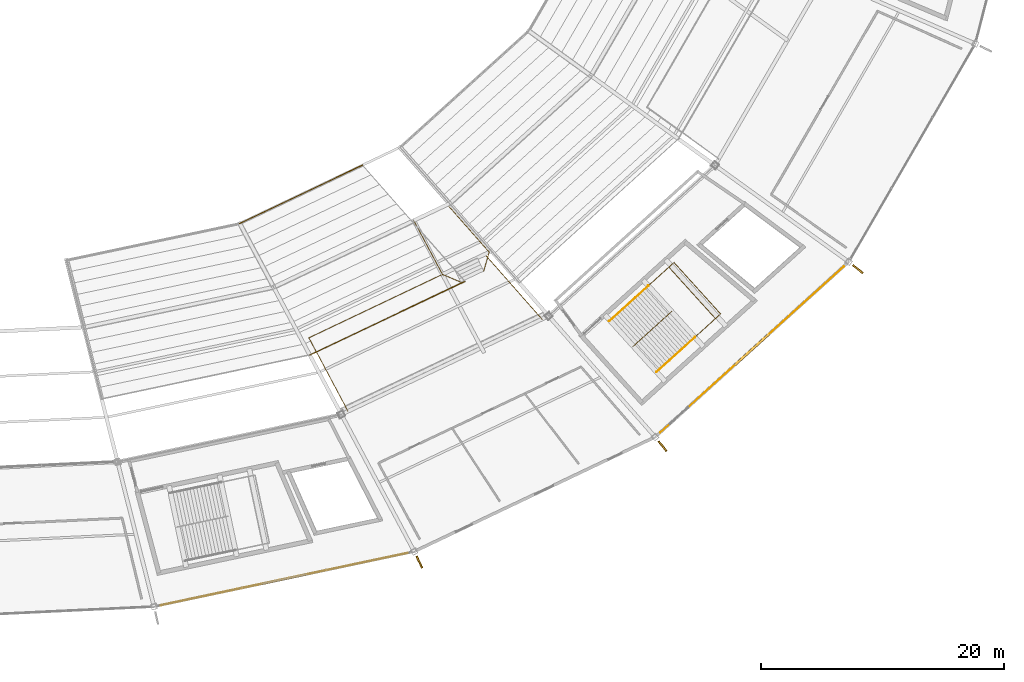
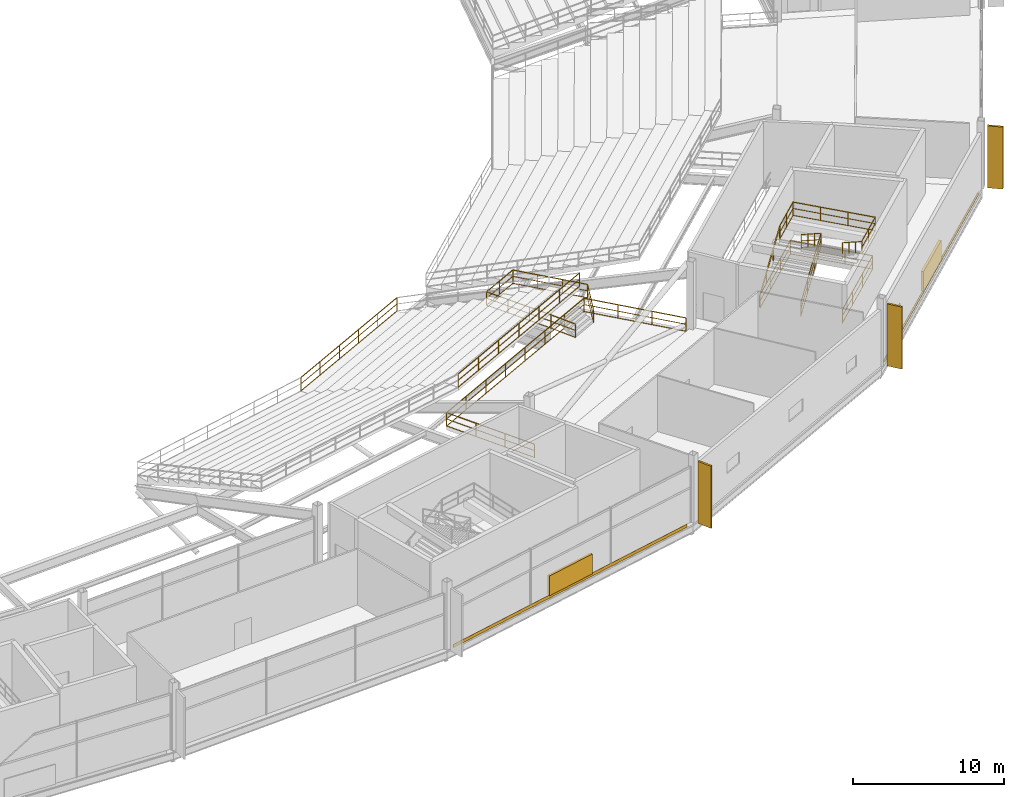
# One storey, part 176 of 186: 9 railings, 5 shading devices, 2 coverings.
"""IFC4 building model written with IfcOpenShell, lengths in metres."""

from ifc_helpers import new_model, si_unit, direction, frame, origin, origin_2d, place, context, subcontext, project, spatial, rectangle, extrude, material, layer, layer_set, type_object, element, save


model = new_model("IFC4")

# Units and contexts
model_context = context("Model", 3, precision=1e-05, world=origin(), true_north=direction((0.0, 1.0)))
body_context = subcontext(model_context, "Body", "Model", "MODEL_VIEW")
ifc_project = project(units=[si_unit("LENGTHUNIT", "METRE"), si_unit("AREAUNIT", "SQUARE_METRE"), si_unit("VOLUMEUNIT", "CUBIC_METRE"), si_unit("PLANEANGLEUNIT", "RADIAN"), si_unit("MASSUNIT", "GRAM", prefix="KILO")], contexts=[model_context])

# Site, building, storey
site_placement = place(None, origin())
site = spatial("IfcSite", under=ifc_project, at=site_placement, CompositionType="ELEMENT")
building_placement = place(site_placement, origin())
building = spatial("IfcBuilding", under=site, at=building_placement, Name="Kazemori Nagisa Stadium", CompositionType="ELEMENT")
storey_placement = place(building_placement, frame((0.0, 0.0, 20.39990234375)))
storey = spatial("IfcBuildingStorey", under=building, at=storey_placement, Name="L04", CompositionType="ELEMENT", Elevation=20.39990234375)

# Coverings
ifc_material_1 = material(Name="Anodised aluminium 6063-T5", Category="aluminium")
ifc_layer = layer(ifc_material_1, 0.034912109375, Name="Anodised aluminium 6063-T5", Category="aluminium")
ifc_layer_set = layer_set([ifc_layer], Name="Anodised aluminium 6063-T5")
covering_type = type_object("IfcCoveringType", Name="Covering_CLAD", PredefinedType="CLADDING", material=ifc_layer_set)
covering_1_placement = place(storey_placement, frame((155.1162109375, 19.2744140625, -0.259765625), z_axis=(0.0, 0.0, 1.0), x_axis=(0.978344955407, 0.206981033502, 0.0)))
element("IfcCovering", 1, at=covering_1_placement, inside=storey, type_object=covering_type, Name="Anodised fascia cladding L04-B23", PredefinedType="CLADDING", context=body_context, shape_type="SweptSolid", body=[
    extrude(rectangle(XDim=20.750244140625, YDim=0.0400390625, at=origin_2d()), origin(), (0.0, 0.0, 1.0), 0.260009765625),
])
covering_2_placement = place(storey_placement, frame((193.546630859375, 38.13671875, -0.259765625), z_axis=(0.0, 0.0, 1.0), x_axis=(0.741350875443, 0.671117634607, 0.0)))
element("IfcCovering", 2, at=covering_2_placement, inside=storey, type_object=covering_type, Name="Anodised fascia cladding L04-B25", PredefinedType="CLADDING", context=body_context, shape_type="SweptSolid", body=[
    extrude(rectangle(XDim=20.34375, YDim=0.0400390625, at=origin_2d()), origin(), (0.0, 0.0, 1.0), 0.260009765625),
])

# Shading devices
ifc_material_2 = material(Name="Aluminium 6063-T5 anodised", Category="aluminium")
shading_device_type_1 = type_object("IfcShadingDeviceType", Name="Fin_FN03", PredefinedType="USERDEFINED", material=ifc_material_2)
for number, where, z_axis, x_axis, name in (
    (3, (166.218994140625, 20.67529296875, 0.0), (0.0, 0.0, 1.0), (0.433883739113, -0.900968867905, 0.0), "Aerodynamic wave shading fin L04-24"),
    (4, (186.193359375, 30.1943359375, 0.0), (0.0, 0.0, 1.0), (0.623489801853, -0.781831482473, 0.0), "Aerodynamic wave shading fin L04-25"),
    (5, (202.241943359375, 44.73681640625, 0.0), (0.0, 0.0, 1.0), (0.781831482473, -0.623489801853, 0.0), "Aerodynamic wave shading fin L04-26"),
):
    element("IfcShadingDevice", number, at=place(storey_placement, frame(where, z_axis=z_axis, x_axis=x_axis)), inside=storey, type_object=shading_device_type_1, Name=name, ObjectType="FIN", PredefinedType="USERDEFINED", context=body_context, shape_type="SweptSolid", body=[
        extrude(rectangle(XDim=1.050048828125, YDim=0.139892578125, at=origin_2d()), origin(), (0.0, 0.0, 1.0), 5.0),
    ])
shading_device_type_2 = type_object("IfcShadingDeviceType", Name="Louvre_LV02", PredefinedType="JALOUSIE", material=ifc_material_2)
for number, where, z_axis, x_axis, name in (
    (6, (155.1162109375, 19.2744140625, -0.010009765625), (0.0, 0.0, 1.0), (0.978344955407, 0.206981033502, 0.0), "Concourse ventilation louvre L04-B23"),
    (7, (193.546630859375, 38.13671875, -0.010009765625), (0.0, 0.0, 1.0), (0.741350875443, 0.671117634607, 0.0), "Concourse ventilation louvre L04-B25"),
):
    element("IfcShadingDevice", number, at=place(storey_placement, frame(where, z_axis=z_axis, x_axis=x_axis)), inside=storey, type_object=shading_device_type_2, Name=name, PredefinedType="JALOUSIE", context=body_context, shape_type="SweptSolid", body=[
        extrude(rectangle(XDim=3.800048828125, YDim=0.179931640625, at=origin_2d()), origin(), (0.0, 0.0, 1.0), 1.60009765625),
    ])

# Railings
ifc_material_3 = material(Name="Laminated safety glass and stainless steel SUS304", Category="steel")
railing_type_1 = type_object("IfcRailingType", Name="Rail_BAL", PredefinedType="BALUSTRADE", material=ifc_material_3)
railing_1_placement = place(storey_placement, frame((160.35400390625, 33.058349609375, 0.0)))
element("IfcRailing", 8, at=railing_1_placement, inside=storey, type_object=railing_type_1, Name="Upper vomitory lobby balustrade B24", PredefinedType="BALUSTRADE", context=body_context, shape_type="SweptSolid", body=[
    extrude(rectangle(XDim=0.050048828125, YDim=0.050048828125, at=origin_2d()), frame((0.0, 0.0, 1.09521484375), z_axis=(-0.469672205384, 0.882840880051, 0.0), x_axis=(-0.882840880051, -0.469672205384, 0.0)), (0.0, 0.0, 1.0), 6.83544921875),
    extrude(rectangle(XDim=0.03759765625, YDim=0.03759765625, at=origin_2d()), frame((0.0, 0.0, 0.58251953125), z_axis=(-0.469672205384, 0.882840880051, 0.0), x_axis=(-0.882840880051, -0.469672205384, 0.0)), (0.0, 0.0, 1.0), 6.83544921875),
    extrude(rectangle(XDim=0.03759765625, YDim=0.03759765625, at=origin_2d()), frame((0.0, 0.0, 0.02490234375), z_axis=(-0.469672205384, 0.882840880051, 0.0), x_axis=(-0.882840880051, -0.469672205384, 0.0)), (0.0, 0.0, 1.0), 6.83544921875),
    extrude(rectangle(XDim=0.050048828125, YDim=0.050048828125, at=origin_2d()), frame((-3.21044921875, 6.03466796875, 1.09521484375), z_axis=(0.903214968311, 0.429188444648, 0.0), x_axis=(-0.429188444648, 0.903214968311, 0.0)), (0.0, 0.0, 1.0), 16.002685546875),
    extrude(rectangle(XDim=0.03759765625, YDim=0.03759765625, at=origin_2d()), frame((-3.21044921875, 6.03466796875, 0.58251953125), z_axis=(0.903214968311, 0.429188444648, 0.0), x_axis=(-0.429188444648, 0.903214968311, 0.0)), (0.0, 0.0, 1.0), 16.002685546875),
    extrude(rectangle(XDim=0.03759765625, YDim=0.03759765625, at=origin_2d()), frame((-3.21044921875, 6.03466796875, 0.02490234375), z_axis=(0.903214968311, 0.429188444648, 0.0), x_axis=(-0.429188444648, 0.903214968311, 0.0)), (0.0, 0.0, 1.0), 16.002685546875),
    extrude(rectangle(XDim=0.050048828125, YDim=0.050048828125, at=origin_2d()), frame((11.243408203125, 12.90283203125, 1.09521484375), z_axis=(0.661024552445, -0.750364272247, 0.0), x_axis=(0.750364272247, 0.661024552445, 0.0)), (0.0, 0.0, 1.0), 7.102294921875),
    extrude(rectangle(XDim=0.03759765625, YDim=0.03759765625, at=origin_2d()), frame((11.243408203125, 12.90283203125, 0.58251953125), z_axis=(0.661024552445, -0.750364272247, 0.0), x_axis=(0.750364272247, 0.661024552445, 0.0)), (0.0, 0.0, 1.0), 7.102294921875),
    extrude(rectangle(XDim=0.03759765625, YDim=0.03759765625, at=origin_2d()), frame((11.243408203125, 12.90283203125, 0.02490234375), z_axis=(0.661024552445, -0.750364272247, 0.0), x_axis=(0.750364272247, 0.661024552445, 0.0)), (0.0, 0.0, 1.0), 7.102294921875),
    extrude(rectangle(XDim=0.044921875, YDim=0.044921875, at=origin_2d()), origin(), (0.0, 0.0, 1.0), 1.070068359375),
    extrude(rectangle(XDim=0.044921875, YDim=0.044921875, at=origin_2d()), frame((-1.070068359375, 2.011474609375, 0.0)), (0.0, 0.0, 1.0), 1.070068359375),
    extrude(rectangle(XDim=0.044921875, YDim=0.044921875, at=origin_2d()), frame((-2.140380859375, 4.023193359375, 0.0)), (0.0, 0.0, 1.0), 1.070068359375),
    extrude(rectangle(XDim=0.044921875, YDim=0.044921875, at=origin_2d()), frame((-3.21044921875, 6.03466796875, 0.0)), (0.0, 0.0, 1.0), 1.070068359375),
    extrude(rectangle(XDim=0.044921875, YDim=0.044921875, at=origin_2d()), frame((-1.1455078125, 7.015869140625, 0.0)), (0.0, 0.0, 1.0), 1.070068359375),
    extrude(rectangle(XDim=0.044921875, YDim=0.044921875, at=origin_2d()), frame((0.919189453125, 7.9970703125, 0.0)), (0.0, 0.0, 1.0), 1.070068359375),
    extrude(rectangle(XDim=0.044921875, YDim=0.044921875, at=origin_2d()), frame((2.984130859375, 8.978271484375, 0.0)), (0.0, 0.0, 1.0), 1.070068359375),
    extrude(rectangle(XDim=0.044921875, YDim=0.044921875, at=origin_2d()), frame((5.048828125, 9.959228515625, 0.0)), (0.0, 0.0, 1.0), 1.070068359375),
    extrude(rectangle(XDim=0.044921875, YDim=0.044921875, at=origin_2d()), frame((7.11376953125, 10.9404296875, 0.0)), (0.0, 0.0, 1.0), 1.070068359375),
    extrude(rectangle(XDim=0.044921875, YDim=0.044921875, at=origin_2d()), frame((9.178466796875, 11.921630859375, 0.0)), (0.0, 0.0, 1.0), 1.070068359375),
    extrude(rectangle(XDim=0.044921875, YDim=0.044921875, at=origin_2d()), frame((11.243408203125, 12.90283203125, 0.0)), (0.0, 0.0, 1.0), 1.070068359375),
    extrude(rectangle(XDim=0.044921875, YDim=0.044921875, at=origin_2d()), frame((12.808349609375, 11.12646484375, 0.0)), (0.0, 0.0, 1.0), 1.070068359375),
    extrude(rectangle(XDim=0.044921875, YDim=0.044921875, at=origin_2d()), frame((14.373291015625, 9.349853515625, 0.0)), (0.0, 0.0, 1.0), 1.070068359375),
    extrude(rectangle(XDim=0.044921875, YDim=0.044921875, at=origin_2d()), frame((15.938232421875, 7.573486328125, 0.0)), (0.0, 0.0, 1.0), 1.070068359375),
])
ifc_material_4 = material(Name="Galvanised powder-coated steel", Category="steel")
railing_type_2 = type_object("IfcRailingType", Name="Rail_GUARD", PredefinedType="GUARDRAIL", material=ifc_material_4)
railing_2_placement = place(storey_placement, frame((181.87890625, 40.5205078125, 0.0)))
element("IfcRailing", 9, at=railing_2_placement, inside=storey, type_object=railing_type_2, Name="Stair well perimeter guard ST04-L04", PredefinedType="GUARDRAIL", context=body_context, shape_type="SweptSolid", body=[
    extrude(rectangle(XDim=0.050048828125, YDim=0.050048828125, at=origin_2d()), frame((0.0, 0.0, 1.09521484375), z_axis=(0.741331867292, 0.671138631385, 0.0), x_axis=(-0.671138631385, 0.741331867292, 0.0)), (0.0, 0.0, 1.0), 6.52490234375),
    extrude(rectangle(XDim=0.03759765625, YDim=0.03759765625, at=origin_2d()), frame((0.0, 0.0, 0.58251953125), z_axis=(0.741331867292, 0.671138631385, 0.0), x_axis=(-0.671138631385, 0.741331867292, 0.0)), (0.0, 0.0, 1.0), 6.52490234375),
    extrude(rectangle(XDim=0.03759765625, YDim=0.03759765625, at=origin_2d()), frame((0.0, 0.0, 0.02490234375), z_axis=(0.741331867292, 0.671138631385, 0.0), x_axis=(-0.671138631385, 0.741331867292, 0.0)), (0.0, 0.0, 1.0), 6.52490234375),
    extrude(rectangle(XDim=0.050048828125, YDim=0.050048828125, at=origin_2d()), frame((4.837158203125, 4.379150390625, 1.09521484375), z_axis=(0.671112926645, -0.74135513736, 0.0), x_axis=(0.74135513736, 0.671112926645, 0.0)), (0.0, 0.0, 1.0), 5.7001953125),
    extrude(rectangle(XDim=0.03759765625, YDim=0.03759765625, at=origin_2d()), frame((4.837158203125, 4.379150390625, 0.58251953125), z_axis=(0.671112926645, -0.74135513736, 0.0), x_axis=(0.74135513736, 0.671112926645, 0.0)), (0.0, 0.0, 1.0), 5.7001953125),
    extrude(rectangle(XDim=0.03759765625, YDim=0.03759765625, at=origin_2d()), frame((4.837158203125, 4.379150390625, 0.02490234375), z_axis=(0.671112926645, -0.74135513736, 0.0), x_axis=(0.74135513736, 0.671112926645, 0.0)), (0.0, 0.0, 1.0), 5.7001953125),
    extrude(rectangle(XDim=0.050048828125, YDim=0.050048828125, at=origin_2d()), frame((8.66259765625, 0.1533203125, 1.09521484375), z_axis=(-0.741367335581, -0.671099451448, 0.0), x_axis=(0.671099451448, -0.741367335581, 0.0)), (0.0, 0.0, 1.0), 6.52490234375),
    extrude(rectangle(XDim=0.03759765625, YDim=0.03759765625, at=origin_2d()), frame((8.66259765625, 0.1533203125, 0.58251953125), z_axis=(-0.741367335581, -0.671099451448, 0.0), x_axis=(0.671099451448, -0.741367335581, 0.0)), (0.0, 0.0, 1.0), 6.52490234375),
    extrude(rectangle(XDim=0.03759765625, YDim=0.03759765625, at=origin_2d()), frame((8.66259765625, 0.1533203125, 0.02490234375), z_axis=(-0.741367335581, -0.671099451448, 0.0), x_axis=(0.671099451448, -0.741367335581, 0.0)), (0.0, 0.0, 1.0), 6.52490234375),
    extrude(rectangle(XDim=0.044921875, YDim=0.044921875, at=origin_2d()), origin(), (0.0, 0.0, 1.0), 1.070068359375),
    extrude(rectangle(XDim=0.044921875, YDim=0.044921875, at=origin_2d()), frame((1.6123046875, 1.459716796875, 0.0)), (0.0, 0.0, 1.0), 1.070068359375),
    extrude(rectangle(XDim=0.044921875, YDim=0.044921875, at=origin_2d()), frame((3.224853515625, 2.91943359375, 0.0)), (0.0, 0.0, 1.0), 1.070068359375),
    extrude(rectangle(XDim=0.044921875, YDim=0.044921875, at=origin_2d()), frame((4.837158203125, 4.379150390625, 0.0)), (0.0, 0.0, 1.0), 1.070068359375),
    extrude(rectangle(XDim=0.044921875, YDim=0.044921875, at=origin_2d()), frame((6.1123046875, 2.970458984375, 0.0)), (0.0, 0.0, 1.0), 1.070068359375),
    extrude(rectangle(XDim=0.044921875, YDim=0.044921875, at=origin_2d()), frame((7.387451171875, 1.56201171875, 0.0)), (0.0, 0.0, 1.0), 1.070068359375),
    extrude(rectangle(XDim=0.044921875, YDim=0.044921875, at=origin_2d()), frame((8.66259765625, 0.1533203125, 0.0)), (0.0, 0.0, 1.0), 1.070068359375),
    extrude(rectangle(XDim=0.044921875, YDim=0.044921875, at=origin_2d()), frame((7.050048828125, -1.306396484375, 0.0)), (0.0, 0.0, 1.0), 1.070068359375),
    extrude(rectangle(XDim=0.044921875, YDim=0.044921875, at=origin_2d()), frame((5.437744140625, -2.765869140625, 0.0)), (0.0, 0.0, 1.0), 1.070068359375),
    extrude(rectangle(XDim=0.044921875, YDim=0.044921875, at=origin_2d()), frame((3.8251953125, -4.2255859375, 0.0)), (0.0, 0.0, 1.0), 1.070068359375),
])
railing_3_placement = place(storey_placement, frame((183.732177734375, 38.35400390625, 0.0)))
element("IfcRailing", 10, at=railing_3_placement, inside=storey, type_object=railing_type_2, Name="Stair central guard ST04-L04", PredefinedType="GUARDRAIL", context=body_context, shape_type="SweptSolid", body=[
    extrude(rectangle(XDim=0.050048828125, YDim=0.050048828125, at=origin_2d()), frame((0.0, 0.0, 1.09521484375), z_axis=(0.627541812823, 0.568099033934, 0.53240469645), x_axis=(-0.67112318634, 0.741345849626, 0.0)), (0.0, 0.0, 1.0), 5.109375),
    extrude(rectangle(XDim=0.03759765625, YDim=0.03759765625, at=origin_2d()), frame((0.0, 0.0, 0.58251953125), z_axis=(0.627541812823, 0.568099033934, 0.53240469645), x_axis=(-0.67112318634, 0.741345849626, 0.0)), (0.0, 0.0, 1.0), 5.109375),
    extrude(rectangle(XDim=0.03759765625, YDim=0.03759765625, at=origin_2d()), frame((0.0, 0.0, 0.02490234375), z_axis=(0.627541812823, 0.568099033934, 0.53240469645), x_axis=(-0.67112318634, 0.741345849626, 0.0)), (0.0, 0.0, 1.0), 5.109375),
    extrude(rectangle(XDim=0.050048828125, YDim=0.050048828125, at=origin_2d()), frame((3.206298828125, 2.902587890625, 3.8154296875), z_axis=(-0.624200602078, -0.565073454279, 0.539504957933), x_axis=(0.671122625547, -0.741346357298, 0.0)), (0.0, 0.0, 1.0), 5.04150390625),
    extrude(rectangle(XDim=0.03759765625, YDim=0.03759765625, at=origin_2d()), frame((3.206298828125, 2.902587890625, 3.302734375), z_axis=(-0.624200602078, -0.565073454279, 0.539504957933), x_axis=(0.671122625547, -0.741346357298, 0.0)), (0.0, 0.0, 1.0), 5.04150390625),
    extrude(rectangle(XDim=0.03759765625, YDim=0.03759765625, at=origin_2d()), frame((3.206298828125, 2.902587890625, 2.7451171875), z_axis=(-0.624200602078, -0.565073454279, 0.539504957933), x_axis=(0.671122625547, -0.741346357298, 0.0)), (0.0, 0.0, 1.0), 5.04150390625),
    extrude(rectangle(XDim=0.044921875, YDim=0.044921875, at=origin_2d()), origin(), (0.0, 0.0, 1.0), 1.070068359375),
    extrude(rectangle(XDim=0.044921875, YDim=0.044921875, at=origin_2d()), frame((1.06884765625, 0.967529296875, 0.90673828125)), (0.0, 0.0, 1.0), 1.070068359375),
    extrude(rectangle(XDim=0.044921875, YDim=0.044921875, at=origin_2d()), frame((2.137451171875, 1.93505859375, 1.8134765625)), (0.0, 0.0, 1.0), 1.070068359375),
    extrude(rectangle(XDim=0.044921875, YDim=0.044921875, at=origin_2d()), frame((3.206298828125, 2.902587890625, 2.72021484375)), (0.0, 0.0, 1.0), 1.070068359375),
    extrude(rectangle(XDim=0.044921875, YDim=0.044921875, at=origin_2d()), frame((2.1572265625, 1.952880859375, 3.626953125)), (0.0, 0.0, 1.0), 1.070068359375),
    extrude(rectangle(XDim=0.044921875, YDim=0.044921875, at=origin_2d()), frame((1.1083984375, 1.00341796875, 4.533447265625)), (0.0, 0.0, 1.0), 1.070068359375),
    extrude(rectangle(XDim=0.044921875, YDim=0.044921875, at=origin_2d()), frame((0.059326171875, 0.0537109375, 5.440185546875)), (0.0, 0.0, 1.0), 1.070068359375),
])
railing_4_placement = place(storey_placement, frame((185.02587890625, 43.369384765625, 2.72021484375)))
element("IfcRailing", 11, at=railing_4_placement, inside=storey, type_object=railing_type_2, Name="Stair landing guard ST04-L04", PredefinedType="GUARDRAIL", context=body_context, shape_type="SweptSolid", body=[
    extrude(rectangle(XDim=0.050048828125, YDim=0.050048828125, at=origin_2d()), frame((0.0, 0.0, 1.09521484375), z_axis=(0.741314535645, 0.671157775223, 0.0), x_axis=(-0.671157775223, 0.741314535645, 0.0)), (0.0, 0.0, 1.0), 2.85009765625),
    extrude(rectangle(XDim=0.03759765625, YDim=0.03759765625, at=origin_2d()), frame((0.0, 0.0, 0.58251953125), z_axis=(0.741314535645, 0.671157775223, 0.0), x_axis=(-0.671157775223, 0.741314535645, 0.0)), (0.0, 0.0, 1.0), 2.85009765625),
    extrude(rectangle(XDim=0.03759765625, YDim=0.03759765625, at=origin_2d()), frame((0.0, 0.0, 0.02490234375), z_axis=(0.741314535645, 0.671157775223, 0.0), x_axis=(-0.671157775223, 0.741314535645, 0.0)), (0.0, 0.0, 1.0), 2.85009765625),
    extrude(rectangle(XDim=0.050048828125, YDim=0.050048828125, at=origin_2d()), frame((2.11279296875, 1.912841796875, 1.09521484375), z_axis=(0.671112926645, -0.74135513736, 0.0), x_axis=(0.74135513736, 0.671112926645, 0.0)), (0.0, 0.0, 1.0), 5.7001953125),
    extrude(rectangle(XDim=0.03759765625, YDim=0.03759765625, at=origin_2d()), frame((2.11279296875, 1.912841796875, 0.58251953125), z_axis=(0.671112926645, -0.74135513736, 0.0), x_axis=(0.74135513736, 0.671112926645, 0.0)), (0.0, 0.0, 1.0), 5.7001953125),
    extrude(rectangle(XDim=0.03759765625, YDim=0.03759765625, at=origin_2d()), frame((2.11279296875, 1.912841796875, 0.02490234375), z_axis=(0.671112926645, -0.74135513736, 0.0), x_axis=(0.74135513736, 0.671112926645, 0.0)), (0.0, 0.0, 1.0), 5.7001953125),
    extrude(rectangle(XDim=0.050048828125, YDim=0.050048828125, at=origin_2d()), frame((5.938232421875, -2.31298828125, 1.09521484375), z_axis=(-0.741357156534, -0.671110696127, 0.0), x_axis=(0.671110696127, -0.741357156534, 0.0)), (0.0, 0.0, 1.0), 2.849853515625),
    extrude(rectangle(XDim=0.03759765625, YDim=0.03759765625, at=origin_2d()), frame((5.938232421875, -2.31298828125, 0.58251953125), z_axis=(-0.741357156534, -0.671110696127, 0.0), x_axis=(0.671110696127, -0.741357156534, 0.0)), (0.0, 0.0, 1.0), 2.849853515625),
    extrude(rectangle(XDim=0.03759765625, YDim=0.03759765625, at=origin_2d()), frame((5.938232421875, -2.31298828125, 0.02490234375), z_axis=(-0.741357156534, -0.671110696127, 0.0), x_axis=(0.671110696127, -0.741357156534, 0.0)), (0.0, 0.0, 1.0), 2.849853515625),
    extrude(rectangle(XDim=0.044921875, YDim=0.044921875, at=origin_2d()), origin(), (0.0, 0.0, 1.0), 1.070068359375),
    extrude(rectangle(XDim=0.044921875, YDim=0.044921875, at=origin_2d()), frame((1.056396484375, 0.95654296875, 0.0)), (0.0, 0.0, 1.0), 1.070068359375),
    extrude(rectangle(XDim=0.044921875, YDim=0.044921875, at=origin_2d()), frame((2.11279296875, 1.912841796875, 0.0)), (0.0, 0.0, 1.0), 1.070068359375),
    extrude(rectangle(XDim=0.044921875, YDim=0.044921875, at=origin_2d()), frame((3.387939453125, 0.504150390625, 0.0)), (0.0, 0.0, 1.0), 1.070068359375),
    extrude(rectangle(XDim=0.044921875, YDim=0.044921875, at=origin_2d()), frame((4.6630859375, -0.904296875, 0.0)), (0.0, 0.0, 1.0), 1.070068359375),
    extrude(rectangle(XDim=0.044921875, YDim=0.044921875, at=origin_2d()), frame((5.938232421875, -2.31298828125, 0.0)), (0.0, 0.0, 1.0), 1.070068359375),
    extrude(rectangle(XDim=0.044921875, YDim=0.044921875, at=origin_2d()), frame((4.8818359375, -3.269287109375, 0.0)), (0.0, 0.0, 1.0), 1.070068359375),
    extrude(rectangle(XDim=0.044921875, YDim=0.044921875, at=origin_2d()), frame((3.825439453125, -4.2255859375, 0.0)), (0.0, 0.0, 1.0), 1.070068359375),
])
railing_5_placement = place(storey_placement, frame((169.60791015625, 43.67626953125, 0.0)))
element("IfcRailing", 12, at=railing_5_placement, inside=storey, type_object=railing_type_2, Name="Vomitory upper portal guard VU10", PredefinedType="GUARDRAIL", context=body_context, shape_type="SweptSolid", body=[
    extrude(rectangle(XDim=0.050048828125, YDim=0.050048828125, at=origin_2d()), frame((0.0, 0.0, 1.09521484375), z_axis=(-0.809508511547, 0.341863097287, 0.477310792301), x_axis=(-0.389040237109, -0.921220762852, 0.0)), (0.0, 0.0, 1.0), 1.843994140625),
    extrude(rectangle(XDim=0.03759765625, YDim=0.03759765625, at=origin_2d()), frame((0.0, 0.0, 0.58251953125), z_axis=(-0.809508511547, 0.341863097287, 0.477310792301), x_axis=(-0.389040237109, -0.921220762852, 0.0)), (0.0, 0.0, 1.0), 1.843994140625),
    extrude(rectangle(XDim=0.03759765625, YDim=0.03759765625, at=origin_2d()), frame((0.0, 0.0, 0.02490234375), z_axis=(-0.809508511547, 0.341863097287, 0.477310792301), x_axis=(-0.389040237109, -0.921220762852, 0.0)), (0.0, 0.0, 1.0), 1.843994140625),
    extrude(rectangle(XDim=0.050048828125, YDim=0.050048828125, at=origin_2d()), frame((-1.49267578125, 0.63037109375, 1.97509765625), z_axis=(-0.469650127636, 0.882852625081, 0.0), x_axis=(-0.882852625081, -0.469650127636, 0.0)), (0.0, 0.0, 1.0), 5.0126953125),
    extrude(rectangle(XDim=0.03759765625, YDim=0.03759765625, at=origin_2d()), frame((-1.49267578125, 0.63037109375, 1.462646484375), z_axis=(-0.469650127636, 0.882852625081, 0.0), x_axis=(-0.882852625081, -0.469650127636, 0.0)), (0.0, 0.0, 1.0), 5.0126953125),
    extrude(rectangle(XDim=0.03759765625, YDim=0.03759765625, at=origin_2d()), frame((-1.49267578125, 0.63037109375, 0.9052734375), z_axis=(-0.469650127636, 0.882852625081, 0.0), x_axis=(-0.882852625081, -0.469650127636, 0.0)), (0.0, 0.0, 1.0), 5.0126953125),
    extrude(rectangle(XDim=0.050048828125, YDim=0.050048828125, at=origin_2d()), frame((-3.846923828125, 5.055908203125, 1.97509765625), z_axis=(0.903243376676, 0.429128654941, 0.0), x_axis=(-0.429128654941, 0.903243376676, 0.0)), (0.0, 0.0, 1.0), 3.050048828125),
    extrude(rectangle(XDim=0.03759765625, YDim=0.03759765625, at=origin_2d()), frame((-3.846923828125, 5.055908203125, 1.462646484375), z_axis=(0.903243376676, 0.429128654941, 0.0), x_axis=(-0.429128654941, 0.903243376676, 0.0)), (0.0, 0.0, 1.0), 3.050048828125),
    extrude(rectangle(XDim=0.03759765625, YDim=0.03759765625, at=origin_2d()), frame((-3.846923828125, 5.055908203125, 0.9052734375), z_axis=(0.903243376676, 0.429128654941, 0.0), x_axis=(-0.429128654941, 0.903243376676, 0.0)), (0.0, 0.0, 1.0), 3.050048828125),
    extrude(rectangle(XDim=0.050048828125, YDim=0.050048828125, at=origin_2d()), frame((-1.092041015625, 6.36474609375, 1.97509765625), z_axis=(0.661023002434, -0.750365637708, 0.0), x_axis=(0.750365637708, 0.661023002434, 0.0)), (0.0, 0.0, 1.0), 5.20849609375),
    extrude(rectangle(XDim=0.03759765625, YDim=0.03759765625, at=origin_2d()), frame((-1.092041015625, 6.36474609375, 1.462646484375), z_axis=(0.661023002434, -0.750365637708, 0.0), x_axis=(0.750365637708, 0.661023002434, 0.0)), (0.0, 0.0, 1.0), 5.20849609375),
    extrude(rectangle(XDim=0.03759765625, YDim=0.03759765625, at=origin_2d()), frame((-1.092041015625, 6.36474609375, 0.9052734375), z_axis=(0.661023002434, -0.750365637708, 0.0), x_axis=(0.750365637708, 0.661023002434, 0.0)), (0.0, 0.0, 1.0), 5.20849609375),
    extrude(rectangle(XDim=0.050048828125, YDim=0.050048828125, at=origin_2d()), frame((2.350830078125, 2.45654296875, 1.97509765625), z_axis=(-0.246265253233, -0.843524692659, -0.477304428981), x_axis=(0.959927404423, -0.280248779191, 0.0)), (0.0, 0.0, 1.0), 1.843994140625),
    extrude(rectangle(XDim=0.03759765625, YDim=0.03759765625, at=origin_2d()), frame((2.350830078125, 2.45654296875, 1.462646484375), z_axis=(-0.246265253233, -0.843524692659, -0.477304428981), x_axis=(0.959927404423, -0.280248779191, 0.0)), (0.0, 0.0, 1.0), 1.843994140625),
    extrude(rectangle(XDim=0.03759765625, YDim=0.03759765625, at=origin_2d()), frame((2.350830078125, 2.45654296875, 0.9052734375), z_axis=(-0.246265253233, -0.843524692659, -0.477304428981), x_axis=(0.959927404423, -0.280248779191, 0.0)), (0.0, 0.0, 1.0), 1.843994140625),
    extrude(rectangle(XDim=0.044921875, YDim=0.044921875, at=origin_2d()), origin(), (0.0, 0.0, 1.0), 1.070068359375),
    extrude(rectangle(XDim=0.044921875, YDim=0.044921875, at=origin_2d()), frame((-1.49267578125, 0.63037109375, 0.880126953125)), (0.0, 0.0, 1.0), 1.070068359375),
    extrude(rectangle(XDim=0.044921875, YDim=0.044921875, at=origin_2d()), frame((-2.27734375, 2.10546875, 0.880126953125)), (0.0, 0.0, 1.0), 1.070068359375),
    extrude(rectangle(XDim=0.044921875, YDim=0.044921875, at=origin_2d()), frame((-3.062255859375, 3.580810546875, 0.880126953125)), (0.0, 0.0, 1.0), 1.070068359375),
    extrude(rectangle(XDim=0.044921875, YDim=0.044921875, at=origin_2d()), frame((-3.846923828125, 5.055908203125, 0.880126953125)), (0.0, 0.0, 1.0), 1.070068359375),
    extrude(rectangle(XDim=0.044921875, YDim=0.044921875, at=origin_2d()), frame((-2.469482421875, 5.71044921875, 0.880126953125)), (0.0, 0.0, 1.0), 1.070068359375),
    extrude(rectangle(XDim=0.044921875, YDim=0.044921875, at=origin_2d()), frame((-1.092041015625, 6.36474609375, 0.880126953125)), (0.0, 0.0, 1.0), 1.070068359375),
    extrude(rectangle(XDim=0.044921875, YDim=0.044921875, at=origin_2d()), frame((0.0556640625, 5.06201171875, 0.880126953125)), (0.0, 0.0, 1.0), 1.070068359375),
    extrude(rectangle(XDim=0.044921875, YDim=0.044921875, at=origin_2d()), frame((1.203125, 3.75927734375, 0.880126953125)), (0.0, 0.0, 1.0), 1.070068359375),
    extrude(rectangle(XDim=0.044921875, YDim=0.044921875, at=origin_2d()), frame((2.350830078125, 2.45654296875, 0.880126953125)), (0.0, 0.0, 1.0), 1.070068359375),
    extrude(rectangle(XDim=0.044921875, YDim=0.044921875, at=origin_2d()), frame((1.896728515625, 0.901123046875, 0.0)), (0.0, 0.0, 1.0), 1.070068359375),
])
railing_6_placement = place(storey_placement, frame((151.465087890625, 48.4912109375, -0.8798828125)))
element("IfcRailing", 13, at=railing_6_placement, inside=storey, type_object=railing_type_2, Name="Upper tier front crowd barrier B24", PredefinedType="GUARDRAIL", context=body_context, shape_type="SweptSolid", body=[
    extrude(rectangle(XDim=0.050048828125, YDim=0.050048828125, at=origin_2d()), frame((0.0, 0.0, 1.09521484375), z_axis=(0.9032108039, 0.429197208424, 0.0), x_axis=(-0.429197208424, 0.9032108039, 0.0)), (0.0, 0.0, 1.0), 11.173095703125),
    extrude(rectangle(XDim=0.03759765625, YDim=0.03759765625, at=origin_2d()), frame((0.0, 0.0, 0.58251953125), z_axis=(0.9032108039, 0.429197208424, 0.0), x_axis=(-0.429197208424, 0.9032108039, 0.0)), (0.0, 0.0, 1.0), 11.173095703125),
    extrude(rectangle(XDim=0.03759765625, YDim=0.03759765625, at=origin_2d()), frame((0.0, 0.0, 0.02490234375), z_axis=(0.9032108039, 0.429197208424, 0.0), x_axis=(-0.429197208424, 0.9032108039, 0.0)), (0.0, 0.0, 1.0), 11.173095703125),
    extrude(rectangle(XDim=0.044921875, YDim=0.044921875, at=origin_2d()), origin(), (0.0, 0.0, 1.0), 1.070068359375),
    extrude(rectangle(XDim=0.044921875, YDim=0.044921875, at=origin_2d()), frame((2.018310546875, 0.958984375, 0.0)), (0.0, 0.0, 1.0), 1.070068359375),
    extrude(rectangle(XDim=0.044921875, YDim=0.044921875, at=origin_2d()), frame((4.03662109375, 1.918212890625, 0.0)), (0.0, 0.0, 1.0), 1.070068359375),
    extrude(rectangle(XDim=0.044921875, YDim=0.044921875, at=origin_2d()), frame((6.054931640625, 2.877197265625, 0.0)), (0.0, 0.0, 1.0), 1.070068359375),
    extrude(rectangle(XDim=0.044921875, YDim=0.044921875, at=origin_2d()), frame((8.0732421875, 3.83642578125, 0.0)), (0.0, 0.0, 1.0), 1.070068359375),
    extrude(rectangle(XDim=0.044921875, YDim=0.044921875, at=origin_2d()), frame((10.091552734375, 4.79541015625, 0.0)), (0.0, 0.0, 1.0), 1.070068359375),
])
railing_7_placement = place(storey_placement, frame((157.218017578125, 37.6767578125, 3.960205078125)))
element("IfcRailing", 14, at=railing_7_placement, inside=storey, type_object=railing_type_2, Name="Upper tier rear guard B24", PredefinedType="GUARDRAIL", context=body_context, shape_type="SweptSolid", body=[
    extrude(rectangle(XDim=0.050048828125, YDim=0.050048828125, at=origin_2d()), frame((0.0, 0.0, 1.09521484375), z_axis=(0.903211816511, 0.429195077458, 0.0), x_axis=(-0.429195077458, 0.903211816511, 0.0)), (0.0, 0.0, 1.0), 14.118408203125),
    extrude(rectangle(XDim=0.03759765625, YDim=0.03759765625, at=origin_2d()), frame((0.0, 0.0, 0.58251953125), z_axis=(0.903211816511, 0.429195077458, 0.0), x_axis=(-0.429195077458, 0.903211816511, 0.0)), (0.0, 0.0, 1.0), 14.118408203125),
    extrude(rectangle(XDim=0.03759765625, YDim=0.03759765625, at=origin_2d()), frame((0.0, 0.0, 0.02490234375), z_axis=(0.903211816511, 0.429195077458, 0.0), x_axis=(-0.429195077458, 0.903211816511, 0.0)), (0.0, 0.0, 1.0), 14.118408203125),
    extrude(rectangle(XDim=0.044921875, YDim=0.044921875, at=origin_2d()), origin(), (0.0, 0.0, 1.0), 1.070068359375),
    extrude(rectangle(XDim=0.044921875, YDim=0.044921875, at=origin_2d()), frame((2.125244140625, 1.010009765625, 0.0)), (0.0, 0.0, 1.0), 1.070068359375),
    extrude(rectangle(XDim=0.044921875, YDim=0.044921875, at=origin_2d()), frame((4.250732421875, 2.019775390625, 0.0)), (0.0, 0.0, 1.0), 1.070068359375),
    extrude(rectangle(XDim=0.044921875, YDim=0.044921875, at=origin_2d()), frame((6.3759765625, 3.02978515625, 0.0)), (0.0, 0.0, 1.0), 1.070068359375),
    extrude(rectangle(XDim=0.044921875, YDim=0.044921875, at=origin_2d()), frame((8.501220703125, 4.039794921875, 0.0)), (0.0, 0.0, 1.0), 1.070068359375),
    extrude(rectangle(XDim=0.044921875, YDim=0.044921875, at=origin_2d()), frame((10.626708984375, 5.049560546875, 0.0)), (0.0, 0.0, 1.0), 1.070068359375),
    extrude(rectangle(XDim=0.044921875, YDim=0.044921875, at=origin_2d()), frame((12.751953125, 6.0595703125, 0.0)), (0.0, 0.0, 1.0), 1.070068359375),
])
ifc_material_5 = material(Name="Stainless steel SUS304", Category="steel")
railing_type_3 = type_object("IfcRailingType", Name="Rail_HAND", PredefinedType="HANDRAIL", material=ifc_material_5)
railing_8_placement = place(storey_placement, frame((181.819580078125, 40.466796875, 0.170166015625)))
element("IfcRailing", 15, at=railing_8_placement, inside=storey, type_object=railing_type_3, Name="Stair handrail ST04-L04-F1", PredefinedType="HANDRAIL", context=body_context, shape_type="SweptSolid", body=[
    extrude(rectangle(XDim=0.050048828125, YDim=0.050048828125, at=origin_2d()), frame((0.0, 0.0, 0.875), z_axis=(0.627557777508, 0.568113486393, 0.532370456043), x_axis=(-0.67112318634, 0.741345849626, 0.0)), (0.0, 0.0, 1.0), 5.109130859375),
    extrude(rectangle(XDim=0.044921875, YDim=0.044921875, at=origin_2d()), origin(), (0.0, 0.0, 1.0), 0.849853515625),
    extrude(rectangle(XDim=0.044921875, YDim=0.044921875, at=origin_2d()), frame((1.06884765625, 0.967529296875, 0.90673828125)), (0.0, 0.0, 1.0), 0.849853515625),
    extrude(rectangle(XDim=0.044921875, YDim=0.044921875, at=origin_2d()), frame((2.137451171875, 1.93505859375, 1.813232421875)), (0.0, 0.0, 1.0), 0.849853515625),
    extrude(rectangle(XDim=0.044921875, YDim=0.044921875, at=origin_2d()), frame((3.206298828125, 2.902587890625, 2.719970703125)), (0.0, 0.0, 1.0), 0.849853515625),
])
railing_9_placement = place(storey_placement, frame((188.851318359375, 39.143798828125, 2.89013671875)))
element("IfcRailing", 16, at=railing_9_placement, inside=storey, type_object=railing_type_3, Name="Stair handrail ST04-L04-F2", PredefinedType="HANDRAIL", context=body_context, shape_type="SweptSolid", body=[
    extrude(rectangle(XDim=0.050048828125, YDim=0.050048828125, at=origin_2d()), frame((0.0, 0.0, 0.875), z_axis=(-0.624230158192, -0.5650563739, 0.539488650408), x_axis=(0.67109401143, -0.741372259949, 0.0)), (0.0, 0.0, 1.0), 5.041748046875),
    extrude(rectangle(XDim=0.044921875, YDim=0.044921875, at=origin_2d()), origin(), (0.0, 0.0, 1.0), 0.849853515625),
    extrude(rectangle(XDim=0.044921875, YDim=0.044921875, at=origin_2d()), frame((-1.049072265625, -0.94970703125, 0.90673828125)), (0.0, 0.0, 1.0), 0.849853515625),
    extrude(rectangle(XDim=0.044921875, YDim=0.044921875, at=origin_2d()), frame((-2.09814453125, -1.899169921875, 1.813232421875)), (0.0, 0.0, 1.0), 0.849853515625),
    extrude(rectangle(XDim=0.044921875, YDim=0.044921875, at=origin_2d()), frame((-3.147216796875, -2.848876953125, 2.719970703125)), (0.0, 0.0, 1.0), 0.849853515625),
])

save(model, "model.ifc")
